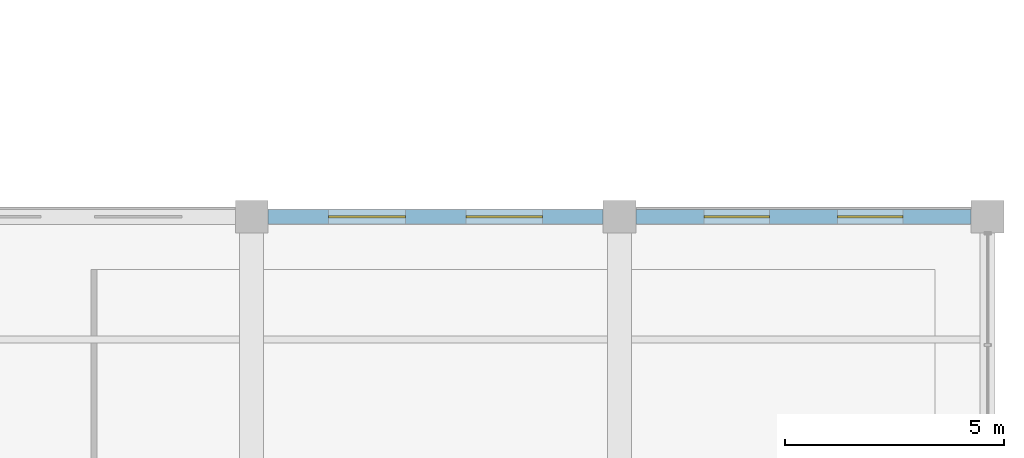
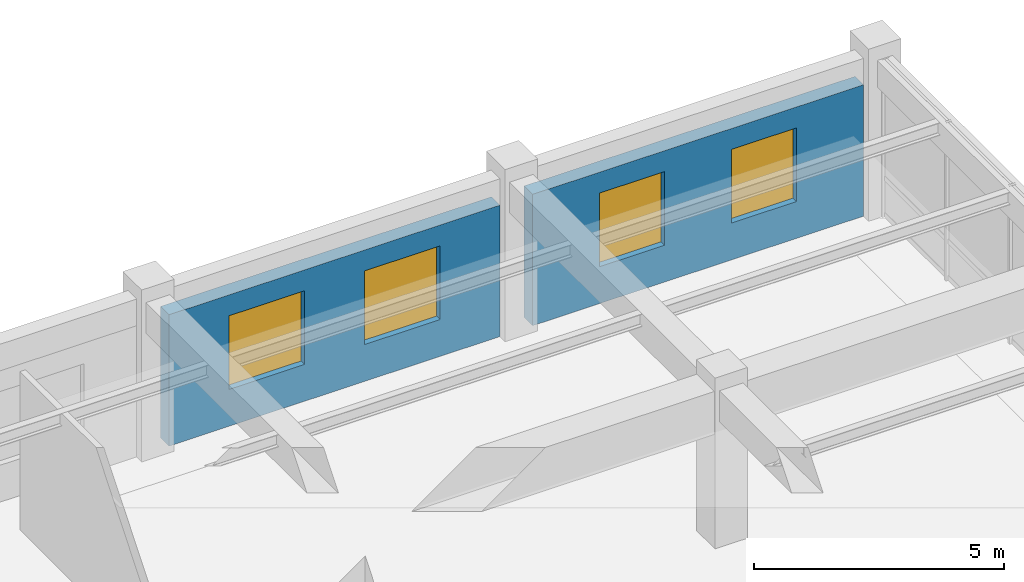
# One storey, part 129 of 152: 4 windows, 2 walls, 4 openings.
"""IFC4 building model written with IfcOpenShell, lengths in metres."""

from ifc_helpers import new_model, si_unit, direction, frame, frame_2d, origin, place, context, subcontext, project, spatial, rectangle, extrude, material, layer, layer_set, type_object, element, fill, save


model = new_model("IFC4")

# Units and contexts
model_context = context("Model", 3, precision=1e-05, world=origin(), true_north=direction((0.0, 1.0)))
body_context = subcontext(model_context, "Body", "Model", "MODEL_VIEW")
ifc_project = project(units=[si_unit("LENGTHUNIT", "METRE"), si_unit("AREAUNIT", "SQUARE_METRE"), si_unit("VOLUMEUNIT", "CUBIC_METRE"), si_unit("PLANEANGLEUNIT", "RADIAN"), si_unit("MASSUNIT", "GRAM", prefix="KILO"), si_unit("THERMODYNAMICTEMPERATUREUNIT", "KELVIN"), si_unit("POWERUNIT", "WATT")], contexts=[model_context])

# Site, building, storey
site_placement = place(None, origin())
site = spatial("IfcSite", under=ifc_project, at=site_placement, CompositionType="ELEMENT")
building_placement = place(site_placement, origin())
building = spatial("IfcBuilding", under=site, at=building_placement, Name="Darbajah Civic Hall", CompositionType="ELEMENT")
storey_placement = place(building_placement, frame((0.0, 0.0, 5.39990234375)))
storey = spatial("IfcBuildingStorey", under=building, at=storey_placement, Name="L01", CompositionType="ELEMENT", Elevation=5.39990234375)

# Wall, openings, windows
ifc_material_1 = material(Name="Qatari Desert Limestone Ashlar", Category="masonry")
ifc_layer = layer(ifc_material_1, 0.340087890625, Name="Qatari Desert Limestone Ashlar")
ifc_layer_set = layer_set([ifc_layer], Name="Qatari Desert Limestone Ashlar")
wall_type = type_object("IfcWallType", Name="Exterior Wall 340mm", PredefinedType="SOLIDWALL", material=ifc_layer_set)
wall_1_placement = place(storey_placement, frame((177.822998046875, 106.800048828125, 0.0), z_axis=(0.0, 0.0, 1.0), x_axis=(-1.0, 0.0, 0.0)))
wall_1 = element("IfcWall", 1, at=wall_1_placement, inside=storey, type_object=wall_type, Name="L01 exterior wall EW-340", PredefinedType="SOLIDWALL", context=body_context, shape_type="SweptSolid", body=[
    extrude(rectangle(XDim=7.64599609375, YDim=0.340087890625, at=frame_2d((3.822998046875, 0.0))), origin(), (0.0, 0.0, 1.0), 3.210205078125),
])
opening_1_placement = place(wall_1_placement, frame((1.548583984375, 0.0, 0.89990234375)))
opening_1 = element("IfcOpeningElement", 2, at=opening_1_placement, cuts=wall_1, Name="Opening WN-19", PredefinedType="OPENING", context=body_context, shape_type="SweptSolid", body=[
    extrude(rectangle(XDim=1.5, YDim=1.800048828125, at=frame_2d((0.75, 0.89990234375))), frame((0.0, 0.179931640625, 0.0), z_axis=(0.0, -1.0, 0.0), x_axis=(1.0, 0.0, 0.0)), (0.0, 0.0, 1.0), 0.360107421875),
])
opening_2_placement = place(wall_1_placement, frame((4.597412109375, 0.0, 0.89990234375)))
opening_2 = element("IfcOpeningElement", 3, at=opening_2_placement, cuts=wall_1, Name="Opening WN-19", PredefinedType="OPENING", context=body_context, shape_type="SweptSolid", body=[
    extrude(rectangle(XDim=1.5, YDim=1.800048828125, at=frame_2d((0.75, 0.89990234375))), frame((0.0, 0.179931640625, 0.0), z_axis=(0.0, -1.0, 0.0), x_axis=(1.0, 0.0, 0.0)), (0.0, 0.0, 1.0), 0.360107421875),
])
ifc_material_2 = material(Name="Low-E Solar Control Double Glazing", Category="glass")
window_type_1 = type_object("IfcWindowType", Name="Facade Window 1500x1800", PartitioningType="SINGLE_PANEL", PredefinedType="WINDOW", material=ifc_material_2)
window_1_placement = place(opening_1_placement, origin())
window_1 = element("IfcWindow", 4, at=window_1_placement, inside=storey, type_object=window_type_1, Name="L01 facade window WN-19", OverallHeight=1.800048828125, OverallWidth=1.5, PartitioningType="SINGLE_PANEL", PredefinedType="WINDOW", context=body_context, shape_type="SweptSolid", body=[
    extrude(rectangle(XDim=1.5, YDim=1.800048828125, at=frame_2d((0.75, 0.89990234375))), frame((0.0, 0.030029296875, 0.0), z_axis=(0.0, -1.0, 0.0), x_axis=(1.0, 0.0, 0.0)), (0.0, 0.0, 1.0), 0.06005859375),
])
fill(opening_1, window_1)
window_2_placement = place(opening_2_placement, origin())
window_2 = element("IfcWindow", 5, at=window_2_placement, inside=storey, type_object=window_type_1, Name="L01 facade window WN-19", OverallHeight=1.800048828125, OverallWidth=1.5, PartitioningType="SINGLE_PANEL", PredefinedType="WINDOW", context=body_context, shape_type="SweptSolid", body=[
    extrude(rectangle(XDim=1.5, YDim=1.800048828125, at=frame_2d((0.75, 0.89990234375))), frame((0.0, 0.030029296875, 0.0), z_axis=(0.0, -1.0, 0.0), x_axis=(1.0, 0.0, 0.0)), (0.0, 0.0, 1.0), 0.06005859375),
])
fill(opening_2, window_2)

wall_2_placement = place(storey_placement, frame((169.423095703125, 106.800048828125, 0.0), z_axis=(0.0, 0.0, 1.0), x_axis=(-1.0, 0.0, 0.0)))
wall_2 = element("IfcWall", 6, at=wall_2_placement, inside=storey, type_object=wall_type, Name="L01 exterior wall EW-340", PredefinedType="SOLIDWALL", context=body_context, shape_type="SweptSolid", body=[
    extrude(rectangle(XDim=7.64599609375, YDim=0.340087890625, at=frame_2d((3.822998046875, 0.0))), origin(), (0.0, 0.0, 1.0), 3.210205078125),
])
opening_3_placement = place(wall_2_placement, frame((1.382080078125, 0.0, 0.89990234375)))
opening_3 = element("IfcOpeningElement", 7, at=opening_3_placement, cuts=wall_2, Name="Opening WN-20", PredefinedType="OPENING", context=body_context, shape_type="SweptSolid", body=[
    extrude(rectangle(XDim=1.75, YDim=1.800048828125, at=frame_2d((0.875, 0.89990234375))), frame((0.0, 0.179931640625, 0.0), z_axis=(0.0, -1.0, 0.0), x_axis=(1.0, 0.0, 0.0)), (0.0, 0.0, 1.0), 0.360107421875),
])
opening_4_placement = place(wall_2_placement, frame((4.513916015625, 0.0, 0.89990234375)))
opening_4 = element("IfcOpeningElement", 8, at=opening_4_placement, cuts=wall_2, Name="Opening WN-20", PredefinedType="OPENING", context=body_context, shape_type="SweptSolid", body=[
    extrude(rectangle(XDim=1.75, YDim=1.800048828125, at=frame_2d((0.875, 0.89990234375))), frame((0.0, 0.179931640625, 0.0), z_axis=(0.0, -1.0, 0.0), x_axis=(1.0, 0.0, 0.0)), (0.0, 0.0, 1.0), 0.360107421875),
])
window_type_2 = type_object("IfcWindowType", Name="Facade Window 1750x1800", PartitioningType="DOUBLE_PANEL_VERTICAL", PredefinedType="WINDOW", material=ifc_material_2)
window_3_placement = place(opening_3_placement, origin())
window_3 = element("IfcWindow", 9, at=window_3_placement, inside=storey, type_object=window_type_2, Name="L01 facade window WN-20", OverallHeight=1.800048828125, OverallWidth=1.75, PartitioningType="SINGLE_PANEL", PredefinedType="WINDOW", context=body_context, shape_type="SweptSolid", body=[
    extrude(rectangle(XDim=1.75, YDim=1.800048828125, at=frame_2d((0.875, 0.89990234375))), frame((0.0, 0.030029296875, 0.0), z_axis=(0.0, -1.0, 0.0), x_axis=(1.0, 0.0, 0.0)), (0.0, 0.0, 1.0), 0.06005859375),
])
fill(opening_3, window_3)
window_4_placement = place(opening_4_placement, origin())
window_4 = element("IfcWindow", 10, at=window_4_placement, inside=storey, type_object=window_type_2, Name="L01 facade window WN-20", OverallHeight=1.800048828125, OverallWidth=1.75, PartitioningType="SINGLE_PANEL", PredefinedType="WINDOW", context=body_context, shape_type="SweptSolid", body=[
    extrude(rectangle(XDim=1.75, YDim=1.800048828125, at=frame_2d((0.875, 0.89990234375))), frame((0.0, 0.030029296875, 0.0), z_axis=(0.0, -1.0, 0.0), x_axis=(1.0, 0.0, 0.0)), (0.0, 0.0, 1.0), 0.06005859375),
])
fill(opening_4, window_4)

save(model, "model.ifc")
